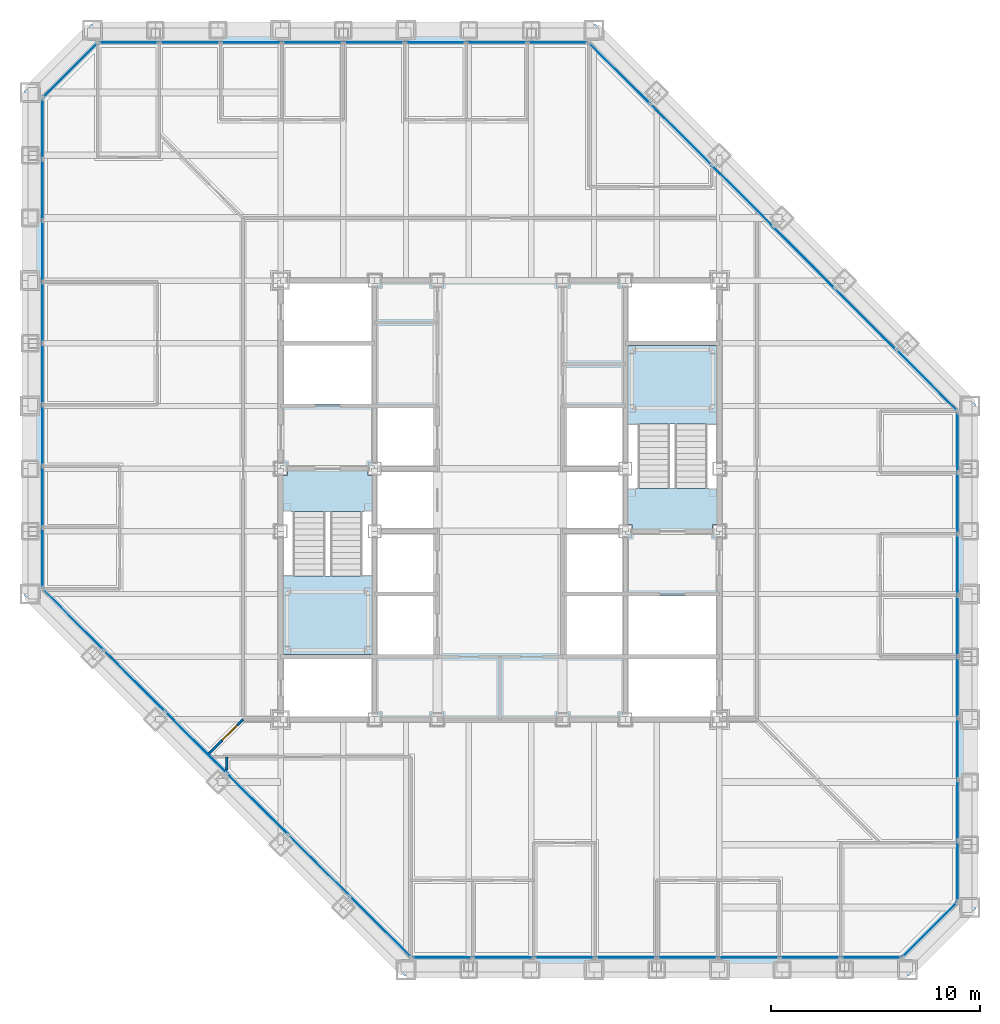
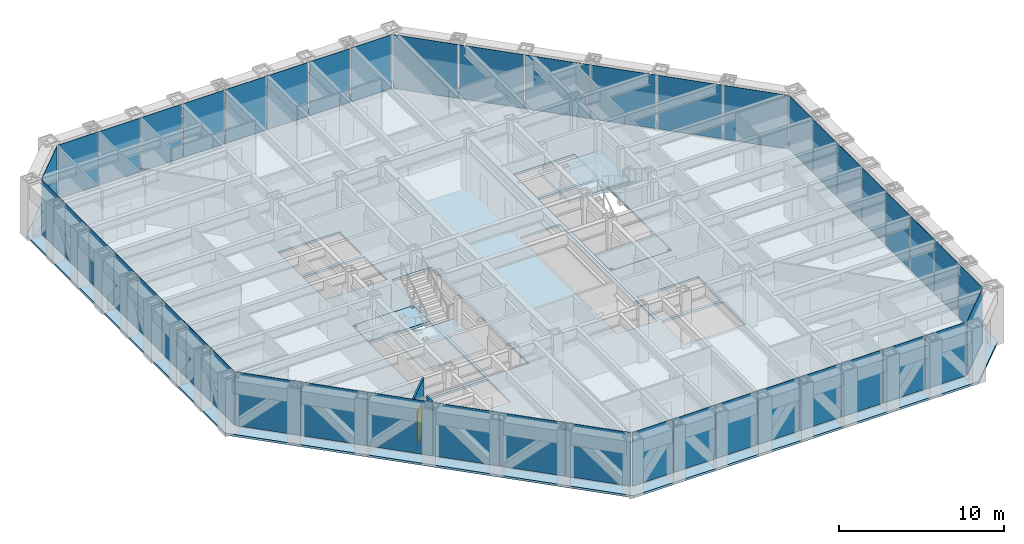
# One storey, part 9 of 17: 46 plates, 5 slabs, 2 walls, 1 door, 1 opening, 10 elements without a shape of their own.
"""IFC4 building model written with IfcOpenShell, lengths in metres."""

from ifc_helpers import new_model, si_unit, direction, frame, frame_2d, origin, origin_2d, place, context, subcontext, project, spatial, polyline, rectangle, outline, extrude, material, layer, layer_set, type_object, element, fill, aggregate, save


model = new_model("IFC4")

# Units and contexts
model_context = context("Model", 3, precision=1e-05, world=origin(), true_north=direction((0.0, 1.0)))
body_context = subcontext(model_context, "Body", "Model", "MODEL_VIEW")
ifc_project = project(units=[si_unit("LENGTHUNIT", "METRE"), si_unit("AREAUNIT", "SQUARE_METRE"), si_unit("VOLUMEUNIT", "CUBIC_METRE"), si_unit("PLANEANGLEUNIT", "RADIAN"), si_unit("MASSUNIT", "GRAM", prefix="KILO")], contexts=[model_context])

# Site, building, storey
site_placement = place(None, origin())
site = spatial("IfcSite", under=ifc_project, at=site_placement, CompositionType="ELEMENT")
building_placement = place(site_placement, origin())
building = spatial("IfcBuilding", under=site, at=building_placement, Name="Chuquiago Exchange Tower", CompositionType="ELEMENT")
storey_placement = place(building_placement, frame((0.0, 0.0, 165.60009765625)))
storey = spatial("IfcBuildingStorey", under=building, at=storey_placement, Name="L36", CompositionType="ELEMENT", Elevation=165.60009765625)

# Curtain wall, plates
ifc_material_1 = material(Name="Aluminium curtain wall system", Category="aluminium")
ifc_layer_1 = layer(ifc_material_1, 0.22509765625)
ifc_layer_set_1 = layer_set([ifc_layer_1], Name="CW2 office curtain wall")
curtain_wall_type_1 = type_object("IfcCurtainWallType", Name="CW2 office curtain wall", PredefinedType="NOTDEFINED", material=ifc_layer_set_1)
curtain_wall_1_placement = place(storey_placement, origin())
curtain_wall_1 = element("IfcCurtainWall", 1, at=curtain_wall_1_placement, inside=storey, type_object=curtain_wall_type_1, Name="CW2 curtain wall L36", PredefinedType="NOTDEFINED")
ifc_material_2 = material(Name="Glass, insulating unit", Category="glass")
ifc_layer_2 = layer(ifc_material_2, 0.030029296875)
ifc_layer_set_2 = layer_set([ifc_layer_2], Name="CW2-P panel 30")
plate_type_1 = type_object("IfcPlateType", Name="CW2-P panel 30", PredefinedType="CURTAIN_PANEL", material=ifc_layer_set_2)
plate_1_placement = place(storey_placement, frame((25.59326171875, 0.60009765625, 0.06494140625), z_axis=(0.0, 0.0, 1.0), x_axis=(1.0, 0.0, 0.0)))
plate_1 = element("IfcPlate", 2, at=plate_1_placement, type_object=plate_type_1, Name="CW2 panel 3.1", PredefinedType="CURTAIN_PANEL", context=body_context, shape_type="SweptSolid", body=[
    extrude(rectangle(XDim=2.872802734375, YDim=0.030029296875, at=origin_2d()), origin(), (0.0, 0.0, 1.0), 3.97509765625),
])
plate_2_placement = place(storey_placement, frame((34.40673828125, 0.60009765625, 0.06494140625), z_axis=(0.0, 0.0, 1.0), x_axis=(1.0, 0.0, 0.0)))
plate_2 = element("IfcPlate", 3, at=plate_2_placement, type_object=plate_type_1, Name="CW2 panel 6.1", PredefinedType="CURTAIN_PANEL", context=body_context, shape_type="SweptSolid", body=[
    extrude(rectangle(XDim=2.872802734375, YDim=0.030029296875, at=origin_2d()), origin(), (0.0, 0.0, 1.0), 3.97509765625),
])

curtain_wall_2_placement = place(storey_placement, origin())
curtain_wall_2 = element("IfcCurtainWall", 4, at=curtain_wall_2_placement, inside=storey, type_object=curtain_wall_type_1, Name="CW2 curtain wall L36", PredefinedType="NOTDEFINED")
plate_3_placement = place(storey_placement, frame((44.39990234375, 10.59326171875, 0.06494140625), z_axis=(0.0, 0.0, 1.0), x_axis=(0.0, 1.0, 0.0)))
plate_3 = element("IfcPlate", 5, at=plate_3_placement, type_object=plate_type_1, Name="CW2 panel 3.1", PredefinedType="CURTAIN_PANEL", context=body_context, shape_type="SweptSolid", body=[
    extrude(rectangle(XDim=2.872802734375, YDim=0.030029296875, at=origin_2d()), origin(), (0.0, 0.0, 1.0), 3.97509765625),
])
plate_4_placement = place(storey_placement, frame((44.39990234375, 19.40673828125, 0.06494140625), z_axis=(0.0, 0.0, 1.0), x_axis=(0.0, 1.0, 0.0)))
plate_4 = element("IfcPlate", 6, at=plate_4_placement, type_object=plate_type_1, Name="CW2 panel 6.1", PredefinedType="CURTAIN_PANEL", context=body_context, shape_type="SweptSolid", body=[
    extrude(rectangle(XDim=2.872802734375, YDim=0.030029296875, at=origin_2d()), origin(), (0.0, 0.0, 1.0), 3.97509765625),
])

curtain_wall_3_placement = place(storey_placement, origin())
curtain_wall_3 = element("IfcCurtainWall", 7, at=curtain_wall_3_placement, inside=storey, type_object=curtain_wall_type_1, Name="CW2 curtain wall L36", PredefinedType="NOTDEFINED")
plate_5_placement = place(storey_placement, frame((19.40673828125, 44.39990234375, 0.06494140625), z_axis=(0.0, 0.0, 1.0), x_axis=(-1.0, 0.0, 0.0)))
plate_5 = element("IfcPlate", 8, at=plate_5_placement, type_object=plate_type_1, Name="CW2 panel 3.1", PredefinedType="CURTAIN_PANEL", context=body_context, shape_type="SweptSolid", body=[
    extrude(rectangle(XDim=2.872802734375, YDim=0.030029296875, at=origin_2d()), origin(), (0.0, 0.0, 1.0), 3.97509765625),
])
plate_6_placement = place(storey_placement, frame((10.59326171875, 44.39990234375, 0.06494140625), z_axis=(0.0, 0.0, 1.0), x_axis=(-1.0, 0.0, 0.0)))
plate_6 = element("IfcPlate", 9, at=plate_6_placement, type_object=plate_type_1, Name="CW2 panel 6.1", PredefinedType="CURTAIN_PANEL", context=body_context, shape_type="SweptSolid", body=[
    extrude(rectangle(XDim=2.872802734375, YDim=0.030029296875, at=origin_2d()), origin(), (0.0, 0.0, 1.0), 3.97509765625),
])

curtain_wall_4_placement = place(storey_placement, origin())
curtain_wall_4 = element("IfcCurtainWall", 10, at=curtain_wall_4_placement, inside=storey, type_object=curtain_wall_type_1, Name="CW2 curtain wall L36", PredefinedType="NOTDEFINED")
plate_7_placement = place(storey_placement, frame((0.60009765625, 34.40673828125, 0.06494140625), z_axis=(0.0, 0.0, 1.0), x_axis=(0.0, -1.0, 0.0)))
plate_7 = element("IfcPlate", 11, at=plate_7_placement, type_object=plate_type_1, Name="CW2 panel 3.1", PredefinedType="CURTAIN_PANEL", context=body_context, shape_type="SweptSolid", body=[
    extrude(rectangle(XDim=2.872802734375, YDim=0.030029296875, at=origin_2d()), origin(), (0.0, 0.0, 1.0), 3.97509765625),
])
plate_8_placement = place(storey_placement, frame((0.60009765625, 25.59326171875, 0.06494140625), z_axis=(0.0, 0.0, 1.0), x_axis=(0.0, -1.0, 0.0)))
plate_8 = element("IfcPlate", 12, at=plate_8_placement, type_object=plate_type_1, Name="CW2 panel 6.1", PredefinedType="CURTAIN_PANEL", context=body_context, shape_type="SweptSolid", body=[
    extrude(rectangle(XDim=2.872802734375, YDim=0.030029296875, at=origin_2d()), origin(), (0.0, 0.0, 1.0), 3.97509765625),
])

# Plate
ifc_material_3 = material(Name="Insulated spandrel panel, pale anodised aluminium", Category="aluminium")
ifc_layer_3 = layer(ifc_material_3, 0.030029296875)
ifc_layer_set_3 = layer_set([ifc_layer_3], Name="CW2-P spandrel panel 30")
plate_type_2 = type_object("IfcPlateType", Name="CW2-P spandrel panel 30", PredefinedType="CURTAIN_PANEL", material=ifc_layer_set_3)
plate_9_placement = place(storey_placement, frame((19.733642578125, 0.60009765625, 0.06494140625), z_axis=(0.0, 0.0, 1.0), x_axis=(1.0, 0.0, 0.0)))
plate_9 = element("IfcPlate", 13, at=plate_9_placement, type_object=plate_type_2, Name="CW2 panel 1.1", PredefinedType="CURTAIN_PANEL", context=body_context, shape_type="SweptSolid", body=[
    extrude(rectangle(XDim=2.84033203125, YDim=0.030029296875, at=origin_2d()), origin(), (0.0, 0.0, 1.0), 3.97509765625),
])

plate_10_placement = place(storey_placement, frame((22.6552734375, 0.60009765625, 0.06494140625), z_axis=(0.0, 0.0, 1.0), x_axis=(1.0, 0.0, 0.0)))
plate_10 = element("IfcPlate", 14, at=plate_10_placement, type_object=plate_type_2, Name="CW2 panel 2.1", PredefinedType="CURTAIN_PANEL", context=body_context, shape_type="SweptSolid", body=[
    extrude(rectangle(XDim=2.872802734375, YDim=0.030029296875, at=origin_2d()), origin(), (0.0, 0.0, 1.0), 3.97509765625),
])

plate_11_placement = place(storey_placement, frame((28.531005859375, 0.60009765625, 0.06494140625), z_axis=(0.0, 0.0, 1.0), x_axis=(1.0, 0.0, 0.0)))
plate_11 = element("IfcPlate", 15, at=plate_11_placement, type_object=plate_type_2, Name="CW2 panel 4.1", PredefinedType="CURTAIN_PANEL", context=body_context, shape_type="SweptSolid", body=[
    extrude(rectangle(XDim=2.872802734375, YDim=0.030029296875, at=origin_2d()), origin(), (0.0, 0.0, 1.0), 3.97509765625),
])

plate_12_placement = place(storey_placement, frame((31.468994140625, 0.60009765625, 0.06494140625), z_axis=(0.0, 0.0, 1.0), x_axis=(1.0, 0.0, 0.0)))
plate_12 = element("IfcPlate", 16, at=plate_12_placement, type_object=plate_type_2, Name="CW2 panel 5.1", PredefinedType="CURTAIN_PANEL", context=body_context, shape_type="SweptSolid", body=[
    extrude(rectangle(XDim=2.872802734375, YDim=0.030029296875, at=origin_2d()), origin(), (0.0, 0.0, 1.0), 3.97509765625),
])

plate_13_placement = place(storey_placement, frame((37.3447265625, 0.60009765625, 0.06494140625), z_axis=(0.0, 0.0, 1.0), x_axis=(1.0, 0.0, 0.0)))
plate_13 = element("IfcPlate", 17, at=plate_13_placement, type_object=plate_type_2, Name="CW2 panel 7.1", PredefinedType="CURTAIN_PANEL", context=body_context, shape_type="SweptSolid", body=[
    extrude(rectangle(XDim=2.872802734375, YDim=0.030029296875, at=origin_2d()), origin(), (0.0, 0.0, 1.0), 3.97509765625),
])

plate_14_placement = place(storey_placement, frame((40.266357421875, 0.60009765625, 0.06494140625), z_axis=(0.0, 0.0, 1.0), x_axis=(1.0, 0.0, 0.0)))
plate_14 = element("IfcPlate", 18, at=plate_14_placement, type_object=plate_type_2, Name="CW2 panel 8.1", PredefinedType="CURTAIN_PANEL", context=body_context, shape_type="SweptSolid", body=[
    extrude(rectangle(XDim=2.84033203125, YDim=0.030029296875, at=origin_2d()), origin(), (0.0, 0.0, 1.0), 3.97509765625),
])

aggregate(curtain_wall_1, [plate_9, plate_10, plate_1, plate_11, plate_12, plate_2, plate_13, plate_14])

plate_15_placement = place(storey_placement, frame((44.39990234375, 4.733642578125, 0.06494140625), z_axis=(0.0, 0.0, 1.0), x_axis=(0.0, 1.0, 0.0)))
plate_15 = element("IfcPlate", 19, at=plate_15_placement, type_object=plate_type_2, Name="CW2 panel 1.1", PredefinedType="CURTAIN_PANEL", context=body_context, shape_type="SweptSolid", body=[
    extrude(rectangle(XDim=2.84033203125, YDim=0.030029296875, at=origin_2d()), origin(), (0.0, 0.0, 1.0), 3.97509765625),
])

plate_16_placement = place(storey_placement, frame((44.39990234375, 7.6552734375, 0.06494140625), z_axis=(0.0, 0.0, 1.0), x_axis=(0.0, 1.0, 0.0)))
plate_16 = element("IfcPlate", 20, at=plate_16_placement, type_object=plate_type_2, Name="CW2 panel 2.1", PredefinedType="CURTAIN_PANEL", context=body_context, shape_type="SweptSolid", body=[
    extrude(rectangle(XDim=2.872802734375, YDim=0.030029296875, at=origin_2d()), origin(), (0.0, 0.0, 1.0), 3.97509765625),
])

plate_17_placement = place(storey_placement, frame((44.39990234375, 13.531005859375, 0.06494140625), z_axis=(0.0, 0.0, 1.0), x_axis=(0.0, 1.0, 0.0)))
plate_17 = element("IfcPlate", 21, at=plate_17_placement, type_object=plate_type_2, Name="CW2 panel 4.1", PredefinedType="CURTAIN_PANEL", context=body_context, shape_type="SweptSolid", body=[
    extrude(rectangle(XDim=2.872802734375, YDim=0.030029296875, at=origin_2d()), origin(), (0.0, 0.0, 1.0), 3.97509765625),
])

plate_18_placement = place(storey_placement, frame((44.39990234375, 16.468994140625, 0.06494140625), z_axis=(0.0, 0.0, 1.0), x_axis=(0.0, 1.0, 0.0)))
plate_18 = element("IfcPlate", 22, at=plate_18_placement, type_object=plate_type_2, Name="CW2 panel 5.1", PredefinedType="CURTAIN_PANEL", context=body_context, shape_type="SweptSolid", body=[
    extrude(rectangle(XDim=2.872802734375, YDim=0.030029296875, at=origin_2d()), origin(), (0.0, 0.0, 1.0), 3.97509765625),
])

plate_19_placement = place(storey_placement, frame((44.39990234375, 22.3447265625, 0.06494140625), z_axis=(0.0, 0.0, 1.0), x_axis=(0.0, 1.0, 0.0)))
plate_19 = element("IfcPlate", 23, at=plate_19_placement, type_object=plate_type_2, Name="CW2 panel 7.1", PredefinedType="CURTAIN_PANEL", context=body_context, shape_type="SweptSolid", body=[
    extrude(rectangle(XDim=2.872802734375, YDim=0.030029296875, at=origin_2d()), origin(), (0.0, 0.0, 1.0), 3.97509765625),
])

plate_20_placement = place(storey_placement, frame((44.39990234375, 25.266357421875, 0.06494140625), z_axis=(0.0, 0.0, 1.0), x_axis=(0.0, 1.0, 0.0)))
plate_20 = element("IfcPlate", 24, at=plate_20_placement, type_object=plate_type_2, Name="CW2 panel 8.1", PredefinedType="CURTAIN_PANEL", context=body_context, shape_type="SweptSolid", body=[
    extrude(rectangle(XDim=2.84033203125, YDim=0.030029296875, at=origin_2d()), origin(), (0.0, 0.0, 1.0), 3.97509765625),
])

aggregate(curtain_wall_2, [plate_15, plate_16, plate_3, plate_17, plate_18, plate_4, plate_19, plate_20])

plate_21_placement = place(storey_placement, frame((25.266357421875, 44.39990234375, 0.06494140625), z_axis=(0.0, 0.0, 1.0), x_axis=(-1.0, 0.0, 0.0)))
plate_21 = element("IfcPlate", 25, at=plate_21_placement, type_object=plate_type_2, Name="CW2 panel 1.1", PredefinedType="CURTAIN_PANEL", context=body_context, shape_type="SweptSolid", body=[
    extrude(rectangle(XDim=2.84033203125, YDim=0.030029296875, at=origin_2d()), origin(), (0.0, 0.0, 1.0), 3.97509765625),
])

plate_22_placement = place(storey_placement, frame((22.3447265625, 44.39990234375, 0.06494140625), z_axis=(0.0, 0.0, 1.0), x_axis=(-1.0, 0.0, 0.0)))
plate_22 = element("IfcPlate", 26, at=plate_22_placement, type_object=plate_type_2, Name="CW2 panel 2.1", PredefinedType="CURTAIN_PANEL", context=body_context, shape_type="SweptSolid", body=[
    extrude(rectangle(XDim=2.872802734375, YDim=0.030029296875, at=origin_2d()), origin(), (0.0, 0.0, 1.0), 3.97509765625),
])

plate_23_placement = place(storey_placement, frame((16.468994140625, 44.39990234375, 0.06494140625), z_axis=(0.0, 0.0, 1.0), x_axis=(-1.0, 0.0, 0.0)))
plate_23 = element("IfcPlate", 27, at=plate_23_placement, type_object=plate_type_2, Name="CW2 panel 4.1", PredefinedType="CURTAIN_PANEL", context=body_context, shape_type="SweptSolid", body=[
    extrude(rectangle(XDim=2.872802734375, YDim=0.030029296875, at=origin_2d()), origin(), (0.0, 0.0, 1.0), 3.97509765625),
])

plate_24_placement = place(storey_placement, frame((13.531005859375, 44.39990234375, 0.06494140625), z_axis=(0.0, 0.0, 1.0), x_axis=(-1.0, 0.0, 0.0)))
plate_24 = element("IfcPlate", 28, at=plate_24_placement, type_object=plate_type_2, Name="CW2 panel 5.1", PredefinedType="CURTAIN_PANEL", context=body_context, shape_type="SweptSolid", body=[
    extrude(rectangle(XDim=2.872802734375, YDim=0.030029296875, at=origin_2d()), origin(), (0.0, 0.0, 1.0), 3.97509765625),
])

plate_25_placement = place(storey_placement, frame((7.6552734375, 44.39990234375, 0.06494140625), z_axis=(0.0, 0.0, 1.0), x_axis=(-1.0, 0.0, 0.0)))
plate_25 = element("IfcPlate", 29, at=plate_25_placement, type_object=plate_type_2, Name="CW2 panel 7.1", PredefinedType="CURTAIN_PANEL", context=body_context, shape_type="SweptSolid", body=[
    extrude(rectangle(XDim=2.872802734375, YDim=0.030029296875, at=origin_2d()), origin(), (0.0, 0.0, 1.0), 3.97509765625),
])

plate_26_placement = place(storey_placement, frame((4.733642578125, 44.39990234375, 0.06494140625), z_axis=(0.0, 0.0, 1.0), x_axis=(-1.0, 0.0, 0.0)))
plate_26 = element("IfcPlate", 30, at=plate_26_placement, type_object=plate_type_2, Name="CW2 panel 8.1", PredefinedType="CURTAIN_PANEL", context=body_context, shape_type="SweptSolid", body=[
    extrude(rectangle(XDim=2.84033203125, YDim=0.030029296875, at=origin_2d()), origin(), (0.0, 0.0, 1.0), 3.97509765625),
])

aggregate(curtain_wall_3, [plate_21, plate_22, plate_5, plate_23, plate_24, plate_6, plate_25, plate_26])

plate_27_placement = place(storey_placement, frame((0.60009765625, 40.266357421875, 0.06494140625), z_axis=(0.0, 0.0, 1.0), x_axis=(0.0, -1.0, 0.0)))
plate_27 = element("IfcPlate", 31, at=plate_27_placement, type_object=plate_type_2, Name="CW2 panel 1.1", PredefinedType="CURTAIN_PANEL", context=body_context, shape_type="SweptSolid", body=[
    extrude(rectangle(XDim=2.84033203125, YDim=0.030029296875, at=origin_2d()), origin(), (0.0, 0.0, 1.0), 3.97509765625),
])

plate_28_placement = place(storey_placement, frame((0.60009765625, 37.3447265625, 0.06494140625), z_axis=(0.0, 0.0, 1.0), x_axis=(0.0, -1.0, 0.0)))
plate_28 = element("IfcPlate", 32, at=plate_28_placement, type_object=plate_type_2, Name="CW2 panel 2.1", PredefinedType="CURTAIN_PANEL", context=body_context, shape_type="SweptSolid", body=[
    extrude(rectangle(XDim=2.872802734375, YDim=0.030029296875, at=origin_2d()), origin(), (0.0, 0.0, 1.0), 3.97509765625),
])

plate_29_placement = place(storey_placement, frame((0.60009765625, 31.468994140625, 0.06494140625), z_axis=(0.0, 0.0, 1.0), x_axis=(0.0, -1.0, 0.0)))
plate_29 = element("IfcPlate", 33, at=plate_29_placement, type_object=plate_type_2, Name="CW2 panel 4.1", PredefinedType="CURTAIN_PANEL", context=body_context, shape_type="SweptSolid", body=[
    extrude(rectangle(XDim=2.872802734375, YDim=0.030029296875, at=origin_2d()), origin(), (0.0, 0.0, 1.0), 3.97509765625),
])

plate_30_placement = place(storey_placement, frame((0.60009765625, 28.531005859375, 0.06494140625), z_axis=(0.0, 0.0, 1.0), x_axis=(0.0, -1.0, 0.0)))
plate_30 = element("IfcPlate", 34, at=plate_30_placement, type_object=plate_type_2, Name="CW2 panel 5.1", PredefinedType="CURTAIN_PANEL", context=body_context, shape_type="SweptSolid", body=[
    extrude(rectangle(XDim=2.872802734375, YDim=0.030029296875, at=origin_2d()), origin(), (0.0, 0.0, 1.0), 3.97509765625),
])

plate_31_placement = place(storey_placement, frame((0.60009765625, 22.6552734375, 0.06494140625), z_axis=(0.0, 0.0, 1.0), x_axis=(0.0, -1.0, 0.0)))
plate_31 = element("IfcPlate", 35, at=plate_31_placement, type_object=plate_type_2, Name="CW2 panel 7.1", PredefinedType="CURTAIN_PANEL", context=body_context, shape_type="SweptSolid", body=[
    extrude(rectangle(XDim=2.872802734375, YDim=0.030029296875, at=origin_2d()), origin(), (0.0, 0.0, 1.0), 3.97509765625),
])

plate_32_placement = place(storey_placement, frame((0.60009765625, 19.733642578125, 0.06494140625), z_axis=(0.0, 0.0, 1.0), x_axis=(0.0, -1.0, 0.0)))
plate_32 = element("IfcPlate", 36, at=plate_32_placement, type_object=plate_type_2, Name="CW2 panel 8.1", PredefinedType="CURTAIN_PANEL", context=body_context, shape_type="SweptSolid", body=[
    extrude(rectangle(XDim=2.84033203125, YDim=0.030029296875, at=origin_2d()), origin(), (0.0, 0.0, 1.0), 3.97509765625),
])

aggregate(curtain_wall_4, [plate_27, plate_28, plate_7, plate_29, plate_30, plate_8, plate_31, plate_32])

# Curtain wall, plate
ifc_material_4 = material(Name="Aluminium curtain wall system", Category="aluminium")
ifc_layer_4 = layer(ifc_material_4, 0.199951171875)
ifc_layer_set_4 = layer_set([ifc_layer_4], Name="CW3 facet curtain wall")
curtain_wall_type_2 = type_object("IfcCurtainWallType", Name="CW3 facet curtain wall", PredefinedType="NOTDEFINED", material=ifc_layer_set_4)
curtain_wall_5_placement = place(storey_placement, origin())
curtain_wall_5 = element("IfcCurtainWall", 37, at=curtain_wall_5_placement, inside=storey, type_object=curtain_wall_type_2, Name="CW3 curtain wall L36", PredefinedType="NOTDEFINED")
ifc_material_5 = material(Name="Insulated spandrel panel, pale anodised aluminium", Category="aluminium")
ifc_layer_5 = layer(ifc_material_5, 0.030029296875)
ifc_layer_set_5 = layer_set([ifc_layer_5], Name="CW3-P spandrel panel 30")
plate_type_3 = type_object("IfcPlateType", Name="CW3-P spandrel panel 30", PredefinedType="CURTAIN_PANEL", material=ifc_layer_set_5)
plate_33_placement = place(storey_placement, frame((43.07568359375, 1.92431640625, 0.06494140625), z_axis=(0.0, 0.0, 1.0), x_axis=(0.707106781187, 0.707106781187, 0.0)))
plate_33 = element("IfcPlate", 38, at=plate_33_placement, type_object=plate_type_3, Name="CW3 panel 1.1", PredefinedType="CURTAIN_PANEL", context=body_context, shape_type="SweptSolid", body=[
    extrude(rectangle(XDim=3.615478515625, YDim=0.030029296875, at=origin_2d()), origin(), (0.0, 0.0, 1.0), 3.97509765625),
])
aggregate(curtain_wall_5, [plate_33])

# Curtain wall, plates
curtain_wall_6_placement = place(storey_placement, origin())
curtain_wall_6 = element("IfcCurtainWall", 39, at=curtain_wall_6_placement, inside=storey, type_object=curtain_wall_type_2, Name="CW3 curtain wall L36", PredefinedType="NOTDEFINED")
plate_34_placement = place(storey_placement, frame((42.917724609375, 28.233642578125, 0.06494140625), z_axis=(0.0, 0.0, 1.0), x_axis=(-0.707106781187, 0.707106781187, 0.0)))
plate_34 = element("IfcPlate", 40, at=plate_34_placement, type_object=plate_type_3, Name="CW3 panel 1.1", PredefinedType="CURTAIN_PANEL", context=body_context, shape_type="SweptSolid", body=[
    extrude(rectangle(XDim=4.062255859375, YDim=0.030029296875, at=origin_2d()), origin(), (0.0, 0.0, 1.0), 3.97509765625),
])
plate_35_placement = place(storey_placement, frame((39.98779296875, 31.16357421875, 0.06494140625), z_axis=(0.0, 0.0, 1.0), x_axis=(-0.707106781187, 0.707106781187, 0.0)))
plate_35 = element("IfcPlate", 41, at=plate_35_placement, type_object=plate_type_3, Name="CW3 panel 2.1", PredefinedType="CURTAIN_PANEL", context=body_context, shape_type="SweptSolid", body=[
    extrude(rectangle(XDim=4.0947265625, YDim=0.030029296875, at=origin_2d()), origin(), (0.0, 0.0, 1.0), 3.97509765625),
])
plate_36_placement = place(storey_placement, frame((37.04638671875, 34.10498046875, 0.06494140625), z_axis=(0.0, 0.0, 1.0), x_axis=(-0.707106781187, 0.707106781187, 0.0)))
plate_36 = element("IfcPlate", 42, at=plate_36_placement, type_object=plate_type_3, Name="CW3 panel 3.1", PredefinedType="CURTAIN_PANEL", context=body_context, shape_type="SweptSolid", body=[
    extrude(rectangle(XDim=4.0947265625, YDim=0.030029296875, at=origin_2d()), origin(), (0.0, 0.0, 1.0), 3.97509765625),
])
plate_37_placement = place(storey_placement, frame((34.10498046875, 37.04638671875, 0.06494140625), z_axis=(0.0, 0.0, 1.0), x_axis=(-0.707106781187, 0.707106781187, 0.0)))
plate_37 = element("IfcPlate", 43, at=plate_37_placement, type_object=plate_type_3, Name="CW3 panel 4.1", PredefinedType="CURTAIN_PANEL", context=body_context, shape_type="SweptSolid", body=[
    extrude(rectangle(XDim=4.0947265625, YDim=0.030029296875, at=origin_2d()), origin(), (0.0, 0.0, 1.0), 3.97509765625),
])
plate_38_placement = place(storey_placement, frame((31.16357421875, 39.98779296875, 0.06494140625), z_axis=(0.0, 0.0, 1.0), x_axis=(-0.707106781187, 0.707106781187, 0.0)))
plate_38 = element("IfcPlate", 44, at=plate_38_placement, type_object=plate_type_3, Name="CW3 panel 5.1", PredefinedType="CURTAIN_PANEL", context=body_context, shape_type="SweptSolid", body=[
    extrude(rectangle(XDim=4.0947265625, YDim=0.030029296875, at=origin_2d()), origin(), (0.0, 0.0, 1.0), 3.97509765625),
])
plate_39_placement = place(storey_placement, frame((28.233642578125, 42.917724609375, 0.06494140625), z_axis=(0.0, 0.0, 1.0), x_axis=(-0.707106781187, 0.707106781187, 0.0)))
plate_39 = element("IfcPlate", 45, at=plate_39_placement, type_object=plate_type_3, Name="CW3 panel 6.1", PredefinedType="CURTAIN_PANEL", context=body_context, shape_type="SweptSolid", body=[
    extrude(rectangle(XDim=4.062255859375, YDim=0.030029296875, at=origin_2d()), origin(), (0.0, 0.0, 1.0), 3.97509765625),
])
aggregate(curtain_wall_6, [plate_34, plate_35, plate_36, plate_37, plate_38, plate_39])

# Curtain wall, plate
curtain_wall_7_placement = place(storey_placement, origin())
curtain_wall_7 = element("IfcCurtainWall", 46, at=curtain_wall_7_placement, inside=storey, type_object=curtain_wall_type_2, Name="CW3 curtain wall L36", PredefinedType="NOTDEFINED")
plate_40_placement = place(storey_placement, frame((1.92431640625, 43.07568359375, 0.06494140625), z_axis=(0.0, 0.0, 1.0), x_axis=(-0.707106781187, -0.707106781187, 0.0)))
plate_40 = element("IfcPlate", 47, at=plate_40_placement, type_object=plate_type_3, Name="CW3 panel 1.1", PredefinedType="CURTAIN_PANEL", context=body_context, shape_type="SweptSolid", body=[
    extrude(rectangle(XDim=3.615478515625, YDim=0.030029296875, at=origin_2d()), origin(), (0.0, 0.0, 1.0), 3.97509765625),
])
aggregate(curtain_wall_7, [plate_40])

# Curtain wall, plates
curtain_wall_8_placement = place(storey_placement, origin())
curtain_wall_8 = element("IfcCurtainWall", 48, at=curtain_wall_8_placement, inside=storey, type_object=curtain_wall_type_2, Name="CW3 curtain wall L36", PredefinedType="NOTDEFINED")
plate_41_placement = place(storey_placement, frame((2.082275390625, 16.766357421875, 0.06494140625), z_axis=(0.0, 0.0, 1.0), x_axis=(0.707106781187, -0.707106781187, 0.0)))
plate_41 = element("IfcPlate", 49, at=plate_41_placement, type_object=plate_type_3, Name="CW3 panel 1.1", PredefinedType="CURTAIN_PANEL", context=body_context, shape_type="SweptSolid", body=[
    extrude(rectangle(XDim=4.062255859375, YDim=0.030029296875, at=origin_2d()), origin(), (0.0, 0.0, 1.0), 3.97509765625),
])
plate_42_placement = place(storey_placement, frame((5.01220703125, 13.83642578125, 0.06494140625), z_axis=(0.0, 0.0, 1.0), x_axis=(0.707106781187, -0.707106781187, 0.0)))
plate_42 = element("IfcPlate", 50, at=plate_42_placement, type_object=plate_type_3, Name="CW3 panel 2.1", PredefinedType="CURTAIN_PANEL", context=body_context, shape_type="SweptSolid", body=[
    extrude(rectangle(XDim=4.0947265625, YDim=0.030029296875, at=origin_2d()), origin(), (0.0, 0.0, 1.0), 3.97509765625),
])
plate_43_placement = place(storey_placement, frame((7.95361328125, 10.89501953125, 0.06494140625), z_axis=(0.0, 0.0, 1.0), x_axis=(0.707106781187, -0.707106781187, 0.0)))
plate_43 = element("IfcPlate", 51, at=plate_43_placement, type_object=plate_type_3, Name="CW3 panel 3.1", PredefinedType="CURTAIN_PANEL", context=body_context, shape_type="SweptSolid", body=[
    extrude(rectangle(XDim=4.0947265625, YDim=0.030029296875, at=origin_2d()), origin(), (0.0, 0.0, 1.0), 3.97509765625),
])
plate_44_placement = place(storey_placement, frame((10.89501953125, 7.95361328125, 0.06494140625), z_axis=(0.0, 0.0, 1.0), x_axis=(0.707106781187, -0.707106781187, 0.0)))
plate_44 = element("IfcPlate", 52, at=plate_44_placement, type_object=plate_type_3, Name="CW3 panel 4.1", PredefinedType="CURTAIN_PANEL", context=body_context, shape_type="SweptSolid", body=[
    extrude(rectangle(XDim=4.0947265625, YDim=0.030029296875, at=origin_2d()), origin(), (0.0, 0.0, 1.0), 3.97509765625),
])
plate_45_placement = place(storey_placement, frame((13.83642578125, 5.01220703125, 0.06494140625), z_axis=(0.0, 0.0, 1.0), x_axis=(0.707106781187, -0.707106781187, 0.0)))
plate_45 = element("IfcPlate", 53, at=plate_45_placement, type_object=plate_type_3, Name="CW3 panel 5.1", PredefinedType="CURTAIN_PANEL", context=body_context, shape_type="SweptSolid", body=[
    extrude(rectangle(XDim=4.0947265625, YDim=0.030029296875, at=origin_2d()), origin(), (0.0, 0.0, 1.0), 3.97509765625),
])
plate_46_placement = place(storey_placement, frame((16.766357421875, 2.082275390625, 0.06494140625), z_axis=(0.0, 0.0, 1.0), x_axis=(0.707106781187, -0.707106781187, 0.0)))
plate_46 = element("IfcPlate", 54, at=plate_46_placement, type_object=plate_type_3, Name="CW3 panel 6.1", PredefinedType="CURTAIN_PANEL", context=body_context, shape_type="SweptSolid", body=[
    extrude(rectangle(XDim=4.062255859375, YDim=0.030029296875, at=origin_2d()), origin(), (0.0, 0.0, 1.0), 3.97509765625),
])
aggregate(curtain_wall_8, [plate_41, plate_42, plate_43, plate_44, plate_45, plate_46])

# Slab
ifc_material_6 = material(Name="Concrete C30/37", Category="concrete")
ifc_layer_6 = layer(ifc_material_6, 0.159912109375)
ifc_layer_set_6 = layer_set([ifc_layer_6], Name="FS1 composite floor 160")
slab_type_1 = type_object("IfcSlabType", Name="FS1 composite floor 160", PredefinedType="FLOOR", material=ifc_layer_set_6)
slab_1_placement = place(storey_placement, frame((0.0, 0.0, -0.16015625)))
element("IfcSlab", 55, at=slab_1_placement, inside=storey, type_object=slab_type_1, Name="L36 floor slab", PredefinedType="FLOOR", context=body_context, shape_type="SweptSolid", body=[
    extrude(outline(polyline([(17.896484375, -0.25), (-0.25, 17.896484375), (-0.25, 42.103515625), (2.896484375, 45.25), (27.103515625, 45.25), (45.25, 27.103515625), (45.25, 2.896484375), (42.103515625, -0.25), (17.896484375, -0.25)]), holes=[polyline([(16.39990234375, 15.10009765625), (12.10009765625, 15.10009765625), (12.10009765625, 23.89990234375), (16.39990234375, 23.89990234375), (16.39990234375, 15.10009765625)]), polyline([(32.89990234375, 21.10009765625), (28.60009765625, 21.10009765625), (28.60009765625, 29.89990234375), (32.89990234375, 29.89990234375), (32.89990234375, 21.10009765625)]), polyline([(16.39990234375, 12.10009765625), (12.10009765625, 12.10009765625), (12.10009765625, 14.89990234375), (16.39990234375, 14.89990234375), (16.39990234375, 12.10009765625)]), polyline([(16.39990234375, 30.10009765625), (12.10009765625, 30.10009765625), (12.10009765625, 32.89990234375), (16.39990234375, 32.89990234375), (16.39990234375, 30.10009765625)]), polyline([(32.89990234375, 12.10009765625), (28.60009765625, 12.10009765625), (28.60009765625, 14.89990234375), (32.89990234375, 14.89990234375), (32.89990234375, 12.10009765625)]), polyline([(32.89990234375, 30.10009765625), (28.60009765625, 30.10009765625), (28.60009765625, 32.89990234375), (32.89990234375, 32.89990234375), (32.89990234375, 30.10009765625)]), polyline([(16.39990234375, 27.10009765625), (12.10009765625, 27.10009765625), (12.10009765625, 29.89990234375), (16.39990234375, 29.89990234375), (16.39990234375, 27.10009765625)]), polyline([(32.89990234375, 15.10009765625), (28.60009765625, 15.10009765625), (28.60009765625, 17.89990234375), (32.89990234375, 17.89990234375), (32.89990234375, 15.10009765625)]), polyline([(19.39990234375, 15.10009765625), (16.60009765625, 15.10009765625), (16.60009765625, 26.89990234375), (19.39990234375, 26.89990234375), (19.39990234375, 15.10009765625)]), polyline([(28.39990234375, 15.10009765625), (25.60009765625, 15.10009765625), (25.60009765625, 26.89990234375), (28.39990234375, 26.89990234375), (28.39990234375, 15.10009765625)])]), origin(), (0.0, 0.0, 1.0), 0.16015625),
])

# Stair, slabs
ifc_material_7 = material(Name="Concrete C30/37, precast", Category="concrete")
stair_type_1 = type_object("IfcStairType", Name="ST1 half-turn stair 4200", PredefinedType="HALF_TURN_STAIR", material=ifc_material_7)
stair_1_placement = place(storey_placement, origin())
stair_1 = element("IfcStair", 56, at=stair_1_placement, inside=storey, type_object=stair_type_1, Name="Stair ST1 L36", PredefinedType="HALF_TURN_STAIR")
ifc_material_8 = material(Name="Concrete C30/37, precast", Category="concrete")
ifc_layer_7 = layer(ifc_material_8, 0.199951171875)
ifc_layer_set_7 = layer_set([ifc_layer_7], Name="ST-L landing 200")
slab_type_2 = type_object("IfcSlabType", Name="ST-L landing 200", PredefinedType="LANDING", material=ifc_layer_set_7)
slab_2_placement = place(storey_placement, frame((0.0, 0.0, -0.2001953125)))
slab_2 = element("IfcSlab", 57, at=slab_2_placement, type_object=slab_type_2, Name="ST1 landing 1", PredefinedType="LANDING", context=body_context, shape_type="SweptSolid", body=[
    extrude(outline(polyline([(12.324951171875, 23.89990234375), (16.175048828125, 23.89990234375), (16.175048828125, 23.675048828125), (16.39990234375, 23.675048828125), (16.39990234375, 21.949951171875), (12.10009765625, 21.949951171875), (12.10009765625, 23.675048828125), (12.324951171875, 23.675048828125), (12.324951171875, 23.89990234375)])), origin(), (0.0, 0.0, 1.0), 0.2001953125),
])
slab_3_placement = place(storey_placement, frame((0.0, 0.0, 1.89990234375)))
slab_3 = element("IfcSlab", 58, at=slab_3_placement, type_object=slab_type_2, Name="ST1 landing 2", PredefinedType="LANDING", context=body_context, shape_type="SweptSolid", body=[
    extrude(outline(polyline([(12.10009765625, 18.8701171875), (16.39990234375, 18.8701171875), (16.39990234375, 15.10009765625), (12.10009765625, 15.10009765625), (12.10009765625, 18.8701171875)])), origin(), (0.0, 0.0, 1.0), 0.199951171875),
])
aggregate(stair_1, [slab_2, slab_3])

ifc_material_9 = material(Name="Concrete C30/37, precast", Category="concrete")
stair_type_2 = type_object("IfcStairType", Name="ST2 half-turn stair 4200", PredefinedType="HALF_TURN_STAIR", material=ifc_material_9)
stair_2_placement = place(storey_placement, origin())
stair_2 = element("IfcStair", 59, at=stair_2_placement, inside=storey, type_object=stair_type_2, Name="Stair ST2 L36", PredefinedType="HALF_TURN_STAIR")
slab_4_placement = place(storey_placement, frame((0.0, 0.0, -0.2001953125)))
slab_4 = element("IfcSlab", 60, at=slab_4_placement, type_object=slab_type_2, Name="ST2 landing 1", PredefinedType="LANDING", context=body_context, shape_type="SweptSolid", body=[
    extrude(outline(polyline([(32.675048828125, 21.324951171875), (32.675048828125, 21.10009765625), (28.824951171875, 21.10009765625), (28.824951171875, 21.324951171875), (28.60009765625, 21.324951171875), (28.60009765625, 23.050048828125), (32.89990234375, 23.050048828125), (32.89990234375, 21.324951171875), (32.675048828125, 21.324951171875)])), origin(), (0.0, 0.0, 1.0), 0.2001953125),
])
slab_5_placement = place(storey_placement, frame((0.0, 0.0, 1.89990234375)))
slab_5 = element("IfcSlab", 61, at=slab_5_placement, type_object=slab_type_2, Name="ST2 landing 2", PredefinedType="LANDING", context=body_context, shape_type="SweptSolid", body=[
    extrude(outline(polyline([(28.60009765625, 29.89990234375), (32.89990234375, 29.89990234375), (32.89990234375, 26.1298828125), (28.60009765625, 26.1298828125), (28.60009765625, 29.89990234375)])), origin(), (0.0, 0.0, 1.0), 0.199951171875),
])
aggregate(stair_2, [slab_4, slab_5])

# Wall
ifc_material_10 = material(Name="Gypsum board on steel studs", Category="steel")
ifc_layer_8 = layer(ifc_material_10, 0.1201171875)
ifc_layer_set_8 = layer_set([ifc_layer_8], Name="W4 partition 120")
wall_type = type_object("IfcWallType", Name="W4 partition 120", PredefinedType="PARTITIONING", material=ifc_layer_set_8)
wall_1_placement = place(storey_placement, frame((9.42431640625, 9.565673828125, 0.0), z_axis=(0.0, 0.0, 1.0), x_axis=(0.0, 1.0, 0.0)))
element("IfcWall", 62, at=wall_1_placement, inside=storey, type_object=wall_type, Name="PW-L36-S00942", PredefinedType="PARTITIONING", context=body_context, shape_type="SweptSolid", body=[
    extrude(rectangle(XDim=0.63427734375, YDim=0.1201171875, at=frame_2d((0.317138671875, 0.0))), origin(), (0.0, 0.0, 1.0), 4.039794921875),
])

# Wall, opening, door
wall_2_placement = place(storey_placement, frame((10.199951171875, 12.0, 0.0), z_axis=(0.0, 0.0, 1.0), x_axis=(-0.707106781187, -0.707106781187, 0.0)))
wall_2 = element("IfcWall", 63, at=wall_2_placement, inside=storey, type_object=wall_type, Name="PW-L36-QSW", PredefinedType="PARTITIONING", context=body_context, shape_type="SweptSolid", body=[
    extrude(rectangle(XDim=2.337890625, YDim=0.1201171875, at=frame_2d((1.1689453125, 0.0))), origin(), (0.0, 0.0, 1.0), 4.039794921875),
])
opening_placement = place(wall_2_placement, frame((0.39990234375, 0.0, 0.0)))
opening = element("IfcOpeningElement", 64, at=opening_placement, cuts=wall_2, Name="Opening L36-044", PredefinedType="OPENING", context=body_context, shape_type="SweptSolid", body=[
    extrude(rectangle(XDim=1.0, YDim=2.39990234375, at=frame_2d((0.5, 1.199951171875))), frame((0.0, 0.070068359375, 0.0), z_axis=(0.0, -1.0, 0.0), x_axis=(1.0, 0.0, 0.0)), (0.0, 0.0, 1.0), 0.14013671875),
])
ifc_material_11 = material(Name="Timber door, laminate faced", Category="wood")
door_type = type_object("IfcDoorType", Name="D9 room door 1000x2400", OperationType="SINGLE_SWING_LEFT", PredefinedType="DOOR", material=ifc_material_11)
door_placement = place(opening_placement, origin())
door = element("IfcDoor", 65, at=door_placement, inside=storey, type_object=door_type, Name="Team area door", OperationType="SINGLE_SWING_LEFT", OverallHeight=2.39990234375, OverallWidth=1.0, PredefinedType="DOOR", context=body_context, shape_type="SweptSolid", body=[
    extrude(rectangle(XDim=1.0, YDim=2.39990234375, at=frame_2d((0.5, 1.199951171875))), frame((0.0, 0.02490234375, 0.0), z_axis=(0.0, -1.0, 0.0), x_axis=(1.0, 0.0, 0.0)), (0.0, 0.0, 1.0), 0.050048828125),
])
fill(opening, door)

save(model, "model.ifc")
